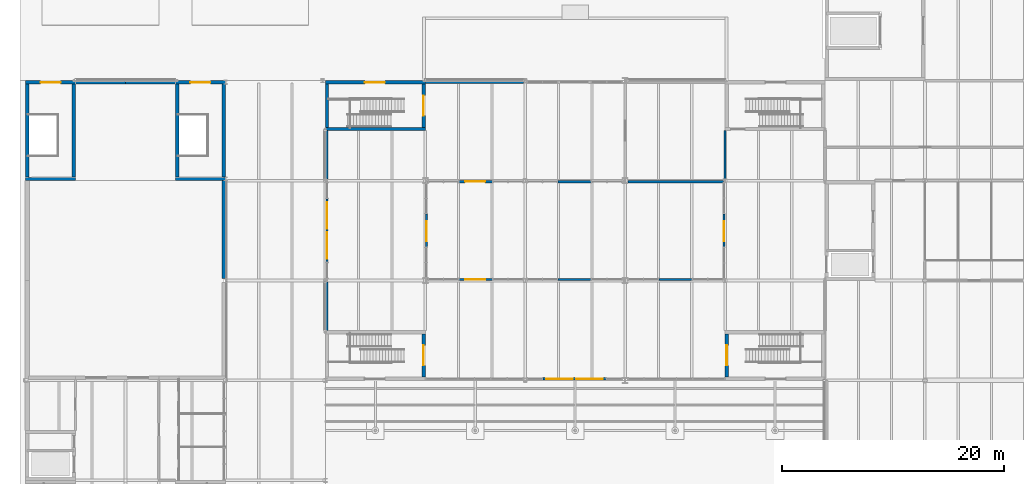
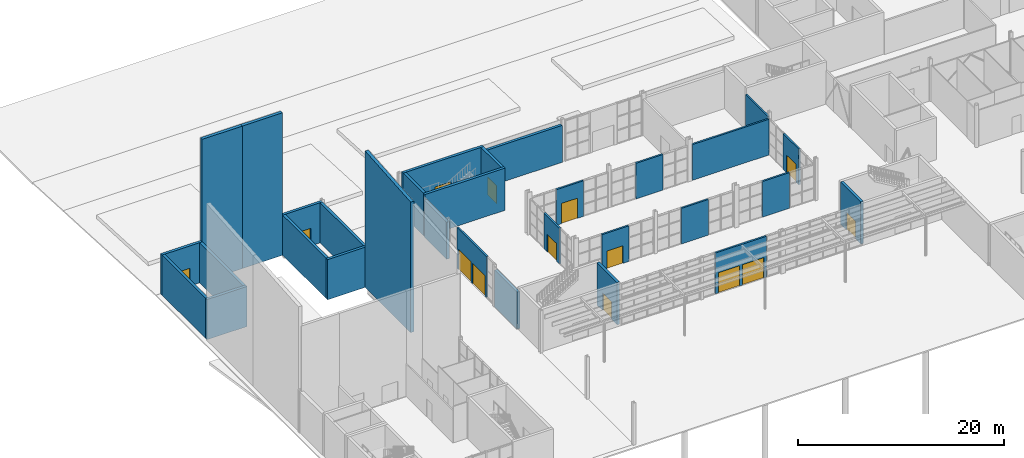
# One storey, part 37 of 63: 31 walls, 14 doors, 14 openings.
"""IFC4 building model written with IfcOpenShell, lengths in metres."""

from ifc_helpers import new_model, si_unit, direction, frame, frame_2d, origin, place, context, subcontext, project, spatial, polyline, rectangle, outline, extrude, material, layer, layer_set, type_object, element, fill, save


model = new_model("IFC4")

# Units and contexts
model_context = context("Model", 3, precision=1e-05, world=origin(), true_north=direction((0.0, 1.0)))
body_context = subcontext(model_context, "Body", "Model", "MODEL_VIEW")
ifc_project = project(units=[si_unit("LENGTHUNIT", "METRE"), si_unit("AREAUNIT", "SQUARE_METRE"), si_unit("VOLUMEUNIT", "CUBIC_METRE"), si_unit("PLANEANGLEUNIT", "RADIAN"), si_unit("MASSUNIT", "GRAM", prefix="KILO")], contexts=[model_context])

# Site, building, storey
site_placement = place(None, origin())
site = spatial("IfcSite", under=ifc_project, at=site_placement, CompositionType="ELEMENT")
building_placement = place(site_placement, origin())
building = spatial("IfcBuilding", under=site, at=building_placement, Name="Halyard Row Museum", CompositionType="ELEMENT")
storey_placement = place(building_placement, origin())
storey = spatial("IfcBuildingStorey", under=building, at=storey_placement, Name="L00", CompositionType="ELEMENT", Elevation=0.0)

# Walls
ifc_material_1 = material(Name="Dark timber battens on acoustic double stud wall", Category="wood")
ifc_layer_1 = layer(ifc_material_1, 0.35009765625)
ifc_layer_set_1 = layer_set([ifc_layer_1], Name="Dark timber battens on acoustic double stud wall")
wall_type_1 = type_object("IfcWallType", Name="Acoustic wall 350 dark timber-clad", PredefinedType="SOLIDWALL", material=ifc_layer_set_1)
wall_1_placement = place(storey_placement, frame((17.885009765625, 27.16357421875, 0.0), z_axis=(0.0, 0.0, 1.0), x_axis=(0.0, 1.0, 0.0)))
element("IfcWall", 1, at=wall_1_placement, inside=storey, type_object=wall_type_1, Name="Wall WL00-813", PredefinedType="SOLIDWALL", context=body_context, shape_type="SweptSolid", body=[
    extrude(outline(polyline([(0.0, 0.0), (8.83642578125, 0.0), (8.83642578125, 16.159912109375), (0.0, 15.453125), (0.0, 0.0)])), frame((0.0, 0.175048828125, 0.0), z_axis=(0.0, -1.0, 0.0), x_axis=(1.0, 0.0, 0.0)), (0.0, 0.0, 1.0), 0.35009765625),
])
for number, where, z_axis, x_axis, name in (
    (2, (9.0, 44.885009765625, 0.0), (0.0, 0.0, 1.0), (1.0, 0.0, 0.0), "Wall WL00-814"),
    (3, (4.5, 44.885009765625, 0.0), (0.0, 0.0, 1.0), (1.0, 0.0, 0.0), "Wall WL00-815"),
):
    element("IfcWall", number, at=place(storey_placement, frame(where, z_axis=z_axis, x_axis=x_axis)), inside=storey, type_object=wall_type_1, Name=name, PredefinedType="SOLIDWALL", context=body_context, shape_type="SweptSolid", body=[
        extrude(rectangle(XDim=4.5, YDim=0.35009765625, at=frame_2d((2.25, 0.0))), origin(), (0.0, 0.0, 1.0), 16.870849609375),
    ])
ifc_material_2 = material(Name="Concrete masonry 15 MPa", Category="masonry")
ifc_layer_2 = layer(ifc_material_2, 0.199951171875)
ifc_layer_set_2 = layer_set([ifc_layer_2], Name="Concrete masonry 15 MPa")
wall_type_2 = type_object("IfcWallType", Name="Blockwork wall 200 fire rated", PredefinedType="PARTITIONING", material=ifc_layer_set_2)
wall_2_placement = place(storey_placement, frame((63.0, 36.16357421875, 0.0), z_axis=(0.0, 0.0, 1.0), x_axis=(0.0, 1.0, 0.0)))
element("IfcWall", 4, at=wall_2_placement, inside=storey, type_object=wall_type_2, Name="Partition Lift Lobby L00 West / Catering Kitchen", PredefinedType="PARTITIONING", context=body_context, shape_type="SweptSolid", body=[
    extrude(rectangle(XDim=4.33642578125, YDim=0.199951171875, at=frame_2d((2.168212890625, 0.0))), origin(), (0.0, 0.0, 1.0), 4.302001953125),
])

# Wall, openings, doors
ifc_material_3 = material(Name="Powder-coated aluminium section", Category="aluminium")
ifc_layer_3 = layer(ifc_material_3, 0.199951171875)
ifc_layer_set_3 = layer_set([ifc_layer_3], Name="Powder-coated aluminium section")
wall_type_3 = type_object("IfcWallType", Name="Entrance screen frame 200 aluminium", PredefinedType="SOLIDWALL", material=ifc_layer_set_3)
wall_3_placement = place(storey_placement, frame((27.14990234375, 28.64990234375, 0.0), z_axis=(0.0, 0.0, 1.0), x_axis=(0.0, 1.0, 0.0)))
wall_3 = element("IfcWall", 5, at=wall_3_placement, inside=storey, type_object=wall_type_3, Name="Wall WL00-819", PredefinedType="SOLIDWALL", context=body_context, shape_type="SweptSolid", body=[
    extrude(rectangle(XDim=5.7001953125, YDim=0.199951171875, at=frame_2d((2.85009765625, 0.0))), origin(), (0.0, 0.0, 1.0), 4.8349609375),
])
opening_1_placement = place(wall_3_placement, frame((3.0, 0.0, 0.0)))
opening_1 = element("IfcOpeningElement", 6, at=opening_1_placement, cuts=wall_3, Name="Opening DL00-407", PredefinedType="OPENING", context=body_context, shape_type="SweptSolid", body=[
    extrude(rectangle(XDim=2.39990234375, YDim=2.39990234375, at=frame_2d((1.199951171875, 1.199951171875))), frame((0.0, 0.10986328125, 0.0), z_axis=(0.0, -1.0, 0.0), x_axis=(1.0, 0.0, 0.0)), (0.0, 0.0, 1.0), 0.219970703125),
])
opening_2_placement = place(wall_3_placement, frame((0.300048828125, 0.0, 0.0)))
opening_2 = element("IfcOpeningElement", 7, at=opening_2_placement, cuts=wall_3, Name="Opening DL00-408", PredefinedType="OPENING", context=body_context, shape_type="SweptSolid", body=[
    extrude(rectangle(XDim=2.39990234375, YDim=2.39990234375, at=frame_2d((1.199951171875, 1.199951171875))), frame((0.0, 0.10986328125, 0.0), z_axis=(0.0, -1.0, 0.0), x_axis=(1.0, 0.0, 0.0)), (0.0, 0.0, 1.0), 0.219970703125),
])
ifc_material_4 = material(Name="Powder-coated aluminium section", Category="aluminium")
door_type_1 = type_object("IfcDoorType", Name="Exitway door DE1 entrance double 2400 x 2400", OperationType="NOTDEFINED", PredefinedType="DOOR", material=ifc_material_4)
door_1_placement = place(opening_1_placement, origin())
door_1 = element("IfcDoor", 8, at=door_1_placement, inside=storey, type_object=door_type_1, Name="Door DL00-407", OperationType="DOUBLE_DOOR_SINGLE_SWING", OverallHeight=2.39990234375, OverallWidth=2.39990234375, PredefinedType="DOOR", context=body_context, shape_type="SweptSolid", body=[
    extrude(rectangle(XDim=2.39990234375, YDim=2.39990234375, at=frame_2d((1.199951171875, 1.199951171875))), frame((0.0, 0.02490234375, 0.0), z_axis=(0.0, -1.0, 0.0), x_axis=(1.0, 0.0, 0.0)), (0.0, 0.0, 1.0), 0.050048828125),
])
fill(opening_1, door_1)
door_2_placement = place(opening_2_placement, origin())
door_2 = element("IfcDoor", 9, at=door_2_placement, inside=storey, type_object=door_type_1, Name="Door DL00-408", OperationType="DOUBLE_DOOR_SINGLE_SWING", OverallHeight=2.39990234375, OverallWidth=2.39990234375, PredefinedType="DOOR", context=body_context, shape_type="SweptSolid", body=[
    extrude(rectangle(XDim=2.39990234375, YDim=2.39990234375, at=frame_2d((1.199951171875, 1.199951171875))), frame((0.0, 0.02490234375, 0.0), z_axis=(0.0, -1.0, 0.0), x_axis=(1.0, 0.0, 0.0)), (0.0, 0.0, 1.0), 0.050048828125),
])
fill(opening_2, door_2)

wall_4_placement = place(storey_placement, frame((46.60009765625, 18.14990234375, 0.0), z_axis=(0.0, 0.0, 1.0), x_axis=(1.0, 0.0, 0.0)))
wall_4 = element("IfcWall", 10, at=wall_4_placement, inside=storey, type_object=wall_type_3, Name="Wall WL00-820", PredefinedType="SOLIDWALL", context=body_context, shape_type="SweptSolid", body=[
    extrude(rectangle(XDim=5.699951171875, YDim=0.199951171875, at=frame_2d((2.85009765625, 0.0))), origin(), (0.0, 0.0, 1.0), 4.8349609375),
])
opening_3_placement = place(wall_4_placement, frame((0.300048828125, 0.0, 0.0)))
opening_3 = element("IfcOpeningElement", 11, at=opening_3_placement, cuts=wall_4, Name="Opening DL00-409", PredefinedType="OPENING", context=body_context, shape_type="SweptSolid", body=[
    extrude(rectangle(XDim=2.39990234375, YDim=2.39990234375, at=frame_2d((1.199951171875, 1.199951171875))), frame((0.0, 0.10986328125, 0.0), z_axis=(0.0, -1.0, 0.0), x_axis=(1.0, 0.0, 0.0)), (0.0, 0.0, 1.0), 0.219970703125),
])
opening_4_placement = place(wall_4_placement, frame((3.0, 0.0, 0.0)))
opening_4 = element("IfcOpeningElement", 12, at=opening_4_placement, cuts=wall_4, Name="Opening DL00-410", PredefinedType="OPENING", context=body_context, shape_type="SweptSolid", body=[
    extrude(rectangle(XDim=2.39990234375, YDim=2.39990234375, at=frame_2d((1.199951171875, 1.199951171875))), frame((0.0, 0.10986328125, 0.0), z_axis=(0.0, -1.0, 0.0), x_axis=(1.0, 0.0, 0.0)), (0.0, 0.0, 1.0), 0.219970703125),
])
door_3_placement = place(opening_3_placement, frame((2.39990234375, 0.0, 0.0), z_axis=(0.0, 0.0, 1.0), x_axis=(-1.0, 0.0, 0.0)))
door_3 = element("IfcDoor", 13, at=door_3_placement, inside=storey, type_object=door_type_1, Name="Door DL00-409", OperationType="DOUBLE_DOOR_SINGLE_SWING", OverallHeight=2.39990234375, OverallWidth=2.39990234375, PredefinedType="DOOR", context=body_context, shape_type="SweptSolid", body=[
    extrude(rectangle(XDim=2.39990234375, YDim=2.39990234375, at=frame_2d((1.199951171875, 1.199951171875))), frame((0.0, 0.02490234375, 0.0), z_axis=(0.0, -1.0, 0.0), x_axis=(1.0, 0.0, 0.0)), (0.0, 0.0, 1.0), 0.050048828125),
])
fill(opening_3, door_3)
door_4_placement = place(opening_4_placement, frame((2.39990234375, 0.0, 0.0), z_axis=(0.0, 0.0, 1.0), x_axis=(-1.0, 0.0, 0.0)))
door_4 = element("IfcDoor", 14, at=door_4_placement, inside=storey, type_object=door_type_1, Name="Door DL00-410", OperationType="DOUBLE_DOOR_SINGLE_SWING", OverallHeight=2.39990234375, OverallWidth=2.39990234375, PredefinedType="DOOR", context=body_context, shape_type="SweptSolid", body=[
    extrude(rectangle(XDim=2.39990234375, YDim=2.39990234375, at=frame_2d((1.199951171875, 1.199951171875))), frame((0.0, 0.02490234375, 0.0), z_axis=(0.0, -1.0, 0.0), x_axis=(1.0, 0.0, 0.0)), (0.0, 0.0, 1.0), 0.050048828125),
])
fill(opening_4, door_4)

# Wall
ifc_material_5 = material(Name="Concrete 40 MPa", Category="concrete")
ifc_layer_4 = layer(ifc_material_5, 0.300048828125)
ifc_layer_set_4 = layer_set([ifc_layer_4], Name="Concrete 40 MPa")
wall_type_4 = type_object("IfcWallType", Name="Exitway wall 300 reinforced concrete", PredefinedType="SOLIDWALL", material=ifc_layer_set_4)
wall_5_placement = place(storey_placement, frame((27.0, 40.64990234375, 0.0), z_axis=(0.0, 0.0, 1.0), x_axis=(1.0, 0.0, 0.0)))
element("IfcWall", 15, at=wall_5_placement, inside=storey, type_object=wall_type_4, Name="Core wall K1A S L00", PredefinedType="SOLIDWALL", context=body_context, shape_type="SweptSolid", body=[
    extrude(rectangle(XDim=9.0, YDim=0.300048828125, at=frame_2d((4.5, 0.0))), origin(), (0.0, 0.0, 1.0), 5.0),
])

# Wall, opening, door
wall_6_placement = place(storey_placement, frame((35.85009765625, 40.800048828125, 0.0), z_axis=(0.0, 0.0, 1.0), x_axis=(0.0, 1.0, 0.0)))
wall_6 = element("IfcWall", 16, at=wall_6_placement, inside=storey, type_object=wall_type_4, Name="Core wall K1A E L00", PredefinedType="SOLIDWALL", context=body_context, shape_type="SweptSolid", body=[
    extrude(rectangle(XDim=3.89990234375, YDim=0.300048828125, at=frame_2d((1.949951171875, 0.0))), origin(), (0.0, 0.0, 1.0), 5.0),
])
opening_5_placement = place(wall_6_placement, frame((1.050048828125, 0.0, 0.0)))
opening_5 = element("IfcOpeningElement", 17, at=opening_5_placement, cuts=wall_6, Name="Opening DL00-002", PredefinedType="OPENING", context=body_context, shape_type="SweptSolid", body=[
    extrude(rectangle(XDim=1.800048828125, YDim=2.10009765625, at=frame_2d((0.89990234375, 1.050048828125))), frame((0.0, 0.159912109375, 0.0), z_axis=(0.0, -1.0, 0.0), x_axis=(1.0, 0.0, 0.0)), (0.0, 0.0, 1.0), 0.320068359375),
])
ifc_material_6 = material(Name="Fire-resisting timber door leaf and steel frame", Category="steel")
door_type_2 = type_object("IfcDoorType", Name="Exitway door 1800 x 2100 fire rated", OperationType="NOTDEFINED", PredefinedType="DOOR", material=ifc_material_6)
door_5_placement = place(opening_5_placement, origin())
door_5 = element("IfcDoor", 18, at=door_5_placement, inside=storey, type_object=door_type_2, Name="Exitway door K1A L00", OperationType="DOUBLE_DOOR_SINGLE_SWING", OverallHeight=2.10009765625, OverallWidth=1.800048828125, PredefinedType="DOOR", context=body_context, shape_type="SweptSolid", body=[
    extrude(rectangle(XDim=1.800048828125, YDim=2.10009765625, at=frame_2d((0.89990234375, 1.050048828125))), frame((0.0, 0.02490234375, 0.0), z_axis=(0.0, -1.0, 0.0), x_axis=(1.0, 0.0, 0.0)), (0.0, 0.0, 1.0), 0.050048828125),
])
fill(opening_5, door_5)

wall_7_placement = place(storey_placement, frame((27.0, 44.85009765625, 0.0), z_axis=(0.0, 0.0, 1.0), x_axis=(1.0, 0.0, 0.0)))
wall_7 = element("IfcWall", 19, at=wall_7_placement, inside=storey, type_object=wall_type_4, Name="Core wall K1A N L00", PredefinedType="SOLIDWALL", context=body_context, shape_type="SweptSolid", body=[
    extrude(rectangle(XDim=9.0, YDim=0.300048828125, at=frame_2d((4.5, 0.0))), origin(), (0.0, 0.0, 1.0), 5.0),
])
opening_6_placement = place(wall_7_placement, frame((3.550048828125, 0.0, 0.0)))
opening_6 = element("IfcOpeningElement", 20, at=opening_6_placement, cuts=wall_7, Name="Opening DL00-001", PredefinedType="OPENING", context=body_context, shape_type="SweptSolid", body=[
    extrude(rectangle(XDim=1.800048828125, YDim=2.10009765625, at=frame_2d((0.89990234375, 1.050048828125))), frame((0.0, 0.159912109375, 0.0), z_axis=(0.0, -1.0, 0.0), x_axis=(1.0, 0.0, 0.0)), (0.0, 0.0, 1.0), 0.320068359375),
])
door_6_placement = place(opening_6_placement, origin())
door_6 = element("IfcDoor", 21, at=door_6_placement, inside=storey, type_object=door_type_2, Name="Exitway door K1A exit", OperationType="DOUBLE_DOOR_SINGLE_SWING", OverallHeight=2.10009765625, OverallWidth=1.800048828125, PredefinedType="DOOR", context=body_context, shape_type="SweptSolid", body=[
    extrude(rectangle(XDim=1.800048828125, YDim=2.10009765625, at=frame_2d((0.89990234375, 1.050048828125))), frame((0.0, 0.02490234375, 0.0), z_axis=(0.0, -1.0, 0.0), x_axis=(1.0, 0.0, 0.0)), (0.0, 0.0, 1.0), 0.050048828125),
])
fill(opening_6, door_6)

# Wall
wall_8_placement = place(storey_placement, frame((27.14990234375, 40.800048828125, 0.0), z_axis=(0.0, 0.0, 1.0), x_axis=(0.0, 1.0, 0.0)))
element("IfcWall", 22, at=wall_8_placement, inside=storey, type_object=wall_type_4, Name="Core wall K1A W L00", PredefinedType="SOLIDWALL", context=body_context, shape_type="SweptSolid", body=[
    extrude(rectangle(XDim=3.89990234375, YDim=0.300048828125, at=frame_2d((1.949951171875, 0.0))), origin(), (0.0, 0.0, 1.0), 5.0),
])

# Wall, opening, door
wall_9_placement = place(storey_placement, frame((63.14990234375, 18.300048828125, 0.0), z_axis=(0.0, 0.0, 1.0), x_axis=(0.0, 1.0, 0.0)))
wall_9 = element("IfcWall", 23, at=wall_9_placement, inside=storey, type_object=wall_type_4, Name="Core wall K1C W L00", PredefinedType="SOLIDWALL", context=body_context, shape_type="SweptSolid", body=[
    extrude(rectangle(XDim=3.89990234375, YDim=0.300048828125, at=frame_2d((1.949951171875, 0.0))), origin(), (0.0, 0.0, 1.0), 5.0),
])
opening_7_placement = place(wall_9_placement, frame((1.050048828125, 0.0, 0.0)))
opening_7 = element("IfcOpeningElement", 24, at=opening_7_placement, cuts=wall_9, Name="Opening DL00-006", PredefinedType="OPENING", context=body_context, shape_type="SweptSolid", body=[
    extrude(rectangle(XDim=1.800048828125, YDim=2.10009765625, at=frame_2d((0.89990234375, 1.050048828125))), frame((0.0, 0.159912109375, 0.0), z_axis=(0.0, -1.0, 0.0), x_axis=(1.0, 0.0, 0.0)), (0.0, 0.0, 1.0), 0.320068359375),
])
door_7_placement = place(opening_7_placement, frame((1.800048828125, 0.0, 0.0), z_axis=(0.0, 0.0, 1.0), x_axis=(-1.0, 0.0, 0.0)))
door_7 = element("IfcDoor", 25, at=door_7_placement, inside=storey, type_object=door_type_2, Name="Exitway door K1C L00", OperationType="DOUBLE_DOOR_SINGLE_SWING", OverallHeight=2.10009765625, OverallWidth=1.800048828125, PredefinedType="DOOR", context=body_context, shape_type="SweptSolid", body=[
    extrude(rectangle(XDim=1.800048828125, YDim=2.10009765625, at=frame_2d((0.89990234375, 1.050048828125))), frame((0.0, 0.02490234375, 0.0), z_axis=(0.0, -1.0, 0.0), x_axis=(1.0, 0.0, 0.0)), (0.0, 0.0, 1.0), 0.050048828125),
])
fill(opening_7, door_7)

wall_10_placement = place(storey_placement, frame((35.85009765625, 18.300048828125, 0.0), z_axis=(0.0, 0.0, 1.0), x_axis=(0.0, 1.0, 0.0)))
wall_10 = element("IfcWall", 26, at=wall_10_placement, inside=storey, type_object=wall_type_4, Name="Core wall K1D E L00", PredefinedType="SOLIDWALL", context=body_context, shape_type="SweptSolid", body=[
    extrude(rectangle(XDim=3.89990234375, YDim=0.300048828125, at=frame_2d((1.949951171875, 0.0))), origin(), (0.0, 0.0, 1.0), 5.0),
])
opening_8_placement = place(wall_10_placement, frame((1.050048828125, 0.0, 0.0)))
opening_8 = element("IfcOpeningElement", 27, at=opening_8_placement, cuts=wall_10, Name="Opening DL00-008", PredefinedType="OPENING", context=body_context, shape_type="SweptSolid", body=[
    extrude(rectangle(XDim=1.800048828125, YDim=2.10009765625, at=frame_2d((0.89990234375, 1.050048828125))), frame((0.0, 0.159912109375, 0.0), z_axis=(0.0, -1.0, 0.0), x_axis=(1.0, 0.0, 0.0)), (0.0, 0.0, 1.0), 0.320068359375),
])
door_8_placement = place(opening_8_placement, origin())
door_8 = element("IfcDoor", 28, at=door_8_placement, inside=storey, type_object=door_type_2, Name="Exitway door K1D L00", OperationType="DOUBLE_DOOR_SINGLE_SWING", OverallHeight=2.10009765625, OverallWidth=1.800048828125, PredefinedType="DOOR", context=body_context, shape_type="SweptSolid", body=[
    extrude(rectangle(XDim=1.800048828125, YDim=2.10009765625, at=frame_2d((0.89990234375, 1.050048828125))), frame((0.0, 0.02490234375, 0.0), z_axis=(0.0, -1.0, 0.0), x_axis=(1.0, 0.0, 0.0)), (0.0, 0.0, 1.0), 0.050048828125),
])
fill(opening_8, door_8)

# Walls
wall_11_placement = place(storey_placement, frame((13.5, 36.14990234375, 0.0), z_axis=(0.0, 0.0, 1.0), x_axis=(1.0, 0.0, 0.0)))
element("IfcWall", 29, at=wall_11_placement, inside=storey, type_object=wall_type_4, Name="Core wall K3N S L00", PredefinedType="SOLIDWALL", context=body_context, shape_type="SweptSolid", body=[
    extrude(rectangle(XDim=4.5, YDim=0.300048828125, at=frame_2d((2.25, 0.0))), origin(), (0.0, 0.0, 1.0), 4.75),
])
wall_12_placement = place(storey_placement, frame((17.85009765625, 36.300048828125, 0.0), z_axis=(0.0, 0.0, 1.0), x_axis=(0.0, 1.0, 0.0)))
element("IfcWall", 30, at=wall_12_placement, inside=storey, type_object=wall_type_4, Name="Core wall K3N E L00", PredefinedType="SOLIDWALL", context=body_context, shape_type="SweptSolid", body=[
    extrude(rectangle(XDim=8.39990234375, YDim=0.300048828125, at=frame_2d((4.199951171875, 0.0))), origin(), (0.0, 0.0, 1.0), 4.75),
])

# Wall, opening, door
wall_13_placement = place(storey_placement, frame((13.5, 44.85009765625, 0.0), z_axis=(0.0, 0.0, 1.0), x_axis=(1.0, 0.0, 0.0)))
wall_13 = element("IfcWall", 31, at=wall_13_placement, inside=storey, type_object=wall_type_4, Name="Core wall K3N N L00", PredefinedType="SOLIDWALL", context=body_context, shape_type="SweptSolid", body=[
    extrude(rectangle(XDim=4.5, YDim=0.300048828125, at=frame_2d((2.25, 0.0))), origin(), (0.0, 0.0, 1.0), 4.75),
])
opening_9_placement = place(wall_13_placement, frame((1.35009765625, 0.0, 0.0)))
opening_9 = element("IfcOpeningElement", 32, at=opening_9_placement, cuts=wall_13, Name="Opening DL00-017", PredefinedType="OPENING", context=body_context, shape_type="SweptSolid", body=[
    extrude(rectangle(XDim=1.800048828125, YDim=2.10009765625, at=frame_2d((0.89990234375, 1.050048828125))), frame((0.0, 0.159912109375, 0.0), z_axis=(0.0, -1.0, 0.0), x_axis=(1.0, 0.0, 0.0)), (0.0, 0.0, 1.0), 0.320068359375),
])
door_9_placement = place(opening_9_placement, origin())
door_9 = element("IfcDoor", 33, at=door_9_placement, inside=storey, type_object=door_type_2, Name="Exitway door K3N exit", OperationType="DOUBLE_DOOR_SINGLE_SWING", OverallHeight=2.10009765625, OverallWidth=1.800048828125, PredefinedType="DOOR", context=body_context, shape_type="SweptSolid", body=[
    extrude(rectangle(XDim=1.800048828125, YDim=2.10009765625, at=frame_2d((0.89990234375, 1.050048828125))), frame((0.0, 0.02490234375, 0.0), z_axis=(0.0, -1.0, 0.0), x_axis=(1.0, 0.0, 0.0)), (0.0, 0.0, 1.0), 0.050048828125),
])
fill(opening_9, door_9)

# Walls
wall_14_placement = place(storey_placement, frame((13.64990234375, 36.300048828125, 0.0), z_axis=(0.0, 0.0, 1.0), x_axis=(0.0, 1.0, 0.0)))
element("IfcWall", 34, at=wall_14_placement, inside=storey, type_object=wall_type_4, Name="Core wall K3N W L00", PredefinedType="SOLIDWALL", context=body_context, shape_type="SweptSolid", body=[
    extrude(rectangle(XDim=8.39990234375, YDim=0.300048828125, at=frame_2d((4.199951171875, 0.0))), origin(), (0.0, 0.0, 1.0), 4.75),
])
wall_15_placement = place(storey_placement, frame((0.0, 36.14990234375, 0.0), z_axis=(0.0, 0.0, 1.0), x_axis=(1.0, 0.0, 0.0)))
element("IfcWall", 35, at=wall_15_placement, inside=storey, type_object=wall_type_4, Name="Core wall K3W S L00", PredefinedType="SOLIDWALL", context=body_context, shape_type="SweptSolid", body=[
    extrude(rectangle(XDim=4.5, YDim=0.300048828125, at=frame_2d((2.25, 0.0))), origin(), (0.0, 0.0, 1.0), 4.75),
])
wall_16_placement = place(storey_placement, frame((4.35009765625, 36.300048828125, 0.0), z_axis=(0.0, 0.0, 1.0), x_axis=(0.0, 1.0, 0.0)))
element("IfcWall", 36, at=wall_16_placement, inside=storey, type_object=wall_type_4, Name="Core wall K3W E L00", PredefinedType="SOLIDWALL", context=body_context, shape_type="SweptSolid", body=[
    extrude(rectangle(XDim=8.39990234375, YDim=0.300048828125, at=frame_2d((4.199951171875, 0.0))), origin(), (0.0, 0.0, 1.0), 4.75),
])

# Wall, opening, door
wall_17_placement = place(storey_placement, frame((0.0, 44.85009765625, 0.0), z_axis=(0.0, 0.0, 1.0), x_axis=(1.0, 0.0, 0.0)))
wall_17 = element("IfcWall", 37, at=wall_17_placement, inside=storey, type_object=wall_type_4, Name="Core wall K3W N L00", PredefinedType="SOLIDWALL", context=body_context, shape_type="SweptSolid", body=[
    extrude(rectangle(XDim=4.5, YDim=0.300048828125, at=frame_2d((2.25, 0.0))), origin(), (0.0, 0.0, 1.0), 4.75),
])
opening_10_placement = place(wall_17_placement, frame((1.35009765625, 0.0, 0.0)))
opening_10 = element("IfcOpeningElement", 38, at=opening_10_placement, cuts=wall_17, Name="Opening DL00-020", PredefinedType="OPENING", context=body_context, shape_type="SweptSolid", body=[
    extrude(rectangle(XDim=1.800048828125, YDim=2.10009765625, at=frame_2d((0.89990234375, 1.050048828125))), frame((0.0, 0.159912109375, 0.0), z_axis=(0.0, -1.0, 0.0), x_axis=(1.0, 0.0, 0.0)), (0.0, 0.0, 1.0), 0.320068359375),
])
door_10_placement = place(opening_10_placement, origin())
door_10 = element("IfcDoor", 39, at=door_10_placement, inside=storey, type_object=door_type_2, Name="Exitway door K3W exit", OperationType="DOUBLE_DOOR_SINGLE_SWING", OverallHeight=2.10009765625, OverallWidth=1.800048828125, PredefinedType="DOOR", context=body_context, shape_type="SweptSolid", body=[
    extrude(rectangle(XDim=1.800048828125, YDim=2.10009765625, at=frame_2d((0.89990234375, 1.050048828125))), frame((0.0, 0.02490234375, 0.0), z_axis=(0.0, -1.0, 0.0), x_axis=(1.0, 0.0, 0.0)), (0.0, 0.0, 1.0), 0.050048828125),
])
fill(opening_10, door_10)

# Wall
wall_18_placement = place(storey_placement, frame((0.14990234375, 36.300048828125, 0.0), z_axis=(0.0, 0.0, 1.0), x_axis=(0.0, 1.0, 0.0)))
element("IfcWall", 40, at=wall_18_placement, inside=storey, type_object=wall_type_4, Name="Core wall K3W W L00", PredefinedType="SOLIDWALL", context=body_context, shape_type="SweptSolid", body=[
    extrude(rectangle(XDim=8.39990234375, YDim=0.300048828125, at=frame_2d((4.199951171875, 0.0))), origin(), (0.0, 0.0, 1.0), 4.75),
])

# Wall, opening, door
ifc_material_7 = material(Name="Plasterboard on steel studs with mineral wool", Category="steel")
ifc_layer_5 = layer(ifc_material_7, 0.199951171875)
ifc_layer_set_5 = layer_set([ifc_layer_5], Name="Plasterboard on steel studs with mineral wool")
wall_type_5 = type_object("IfcWallType", Name="Gallery wall 200 double stud", PredefinedType="PARTITIONING", material=ifc_layer_set_5)
wall_19_placement = place(storey_placement, frame((39.0478515625, 27.10009765625, 0.0), z_axis=(0.0, 0.0, 1.0), x_axis=(1.0, 0.0, 0.0)))
wall_19 = element("IfcWall", 41, at=wall_19_placement, inside=storey, type_object=wall_type_5, Name="Partition Entrance Hall / Temporary Exhibition Gallery", PredefinedType="PARTITIONING", context=body_context, shape_type="SweptSolid", body=[
    extrude(rectangle(XDim=3.0, YDim=0.199951171875, at=frame_2d((1.5, 0.0))), origin(), (0.0, 0.0, 1.0), 4.22802734375),
])
opening_11_placement = place(wall_19_placement, frame((0.550048828125, 0.0, 0.0)))
opening_11 = element("IfcOpeningElement", 42, at=opening_11_placement, cuts=wall_19, Name="Opening DL00-028", PredefinedType="OPENING", context=body_context, shape_type="SweptSolid", body=[
    extrude(rectangle(XDim=1.800048828125, YDim=2.10009765625, at=frame_2d((0.89990234375, 1.050048828125))), frame((0.0, 0.10986328125, 0.0), z_axis=(0.0, -1.0, 0.0), x_axis=(1.0, 0.0, 0.0)), (0.0, 0.0, 1.0), 0.219970703125),
])
ifc_material_8 = material(Name="Timber veneered door leaf and softwood frame", Category="wood")
door_type_3 = type_object("IfcDoorType", Name="Double door 1800 x 2100", OperationType="NOTDEFINED", PredefinedType="DOOR", material=ifc_material_8)
door_11_placement = place(opening_11_placement, frame((1.800048828125, 0.0, 0.0), z_axis=(0.0, 0.0, 1.0), x_axis=(-1.0, 0.0, 0.0)))
door_11 = element("IfcDoor", 43, at=door_11_placement, inside=storey, type_object=door_type_3, Name="Door Entrance Hall to Temporary Exhibition Gallery", OperationType="DOUBLE_DOOR_SINGLE_SWING", OverallHeight=2.10009765625, OverallWidth=1.800048828125, PredefinedType="DOOR", context=body_context, shape_type="SweptSolid", body=[
    extrude(rectangle(XDim=1.800048828125, YDim=2.10009765625, at=frame_2d((0.89990234375, 1.050048828125))), frame((0.0, 0.02490234375, 0.0), z_axis=(0.0, -1.0, 0.0), x_axis=(1.0, 0.0, 0.0)), (0.0, 0.0, 1.0), 0.050048828125),
])
fill(opening_11, door_11)

# Walls
for number, where, z_axis, x_axis, name in (
    (44, (47.9521484375, 27.10009765625, 0.0), (0.0, 0.0, 1.0), (1.0, 0.0, 0.0), "Partition Entrance Hall / Temporary Exhibition Gallery"),
    (45, (57.04736328125, 27.10009765625, 0.0), (0.0, 0.0, 1.0), (1.0, 0.0, 0.0), "Partition Entrance Hall / Temporary Exhibition Gallery"),
):
    element("IfcWall", number, at=place(storey_placement, frame(where, z_axis=z_axis, x_axis=x_axis)), inside=storey, type_object=wall_type_5, Name=name, PredefinedType="PARTITIONING", context=body_context, shape_type="SweptSolid", body=[
        extrude(rectangle(XDim=3.0, YDim=0.199951171875, at=frame_2d((1.5, 0.0))), origin(), (0.0, 0.0, 1.0), 4.22802734375),
    ])

# Wall, opening, door
wall_20_placement = place(storey_placement, frame((36.10009765625, 30.0, 0.0), z_axis=(0.0, 0.0, 1.0), x_axis=(0.0, 1.0, 0.0)))
wall_20 = element("IfcWall", 46, at=wall_20_placement, inside=storey, type_object=wall_type_5, Name="Partition West Entrance Hall / Temporary Exhibition Gallery", PredefinedType="PARTITIONING", context=body_context, shape_type="SweptSolid", body=[
    extrude(rectangle(XDim=3.0, YDim=0.199951171875, at=frame_2d((1.5, 0.0))), origin(), (0.0, 0.0, 1.0), 4.22802734375),
])
opening_12_placement = place(wall_20_placement, frame((0.550048828125, 0.0, 0.0)))
opening_12 = element("IfcOpeningElement", 47, at=opening_12_placement, cuts=wall_20, Name="Opening DL00-029", PredefinedType="OPENING", context=body_context, shape_type="SweptSolid", body=[
    extrude(rectangle(XDim=1.800048828125, YDim=2.10009765625, at=frame_2d((0.89990234375, 1.050048828125))), frame((0.0, 0.10986328125, 0.0), z_axis=(0.0, -1.0, 0.0), x_axis=(1.0, 0.0, 0.0)), (0.0, 0.0, 1.0), 0.219970703125),
])
door_12_placement = place(opening_12_placement, frame((1.800048828125, 0.0, 0.0), z_axis=(0.0, 0.0, 1.0), x_axis=(-1.0, 0.0, 0.0)))
door_12 = element("IfcDoor", 48, at=door_12_placement, inside=storey, type_object=door_type_3, Name="Door West Entrance Hall to Temporary Exhibition Gallery", OperationType="DOUBLE_DOOR_SINGLE_SWING", OverallHeight=2.10009765625, OverallWidth=1.800048828125, PredefinedType="DOOR", context=body_context, shape_type="SweptSolid", body=[
    extrude(rectangle(XDim=1.800048828125, YDim=2.10009765625, at=frame_2d((0.89990234375, 1.050048828125))), frame((0.0, 0.02490234375, 0.0), z_axis=(0.0, -1.0, 0.0), x_axis=(1.0, 0.0, 0.0)), (0.0, 0.0, 1.0), 0.050048828125),
])
fill(opening_12, door_12)

wall_21_placement = place(storey_placement, frame((39.0478515625, 35.89990234375, 0.0), z_axis=(0.0, 0.0, 1.0), x_axis=(1.0, 0.0, 0.0)))
wall_21 = element("IfcWall", 49, at=wall_21_placement, inside=storey, type_object=wall_type_5, Name="Partition Temporary Exhibition Gallery / Cafe", PredefinedType="PARTITIONING", context=body_context, shape_type="SweptSolid", body=[
    extrude(rectangle(XDim=3.0, YDim=0.199951171875, at=frame_2d((1.5, 0.0))), origin(), (0.0, 0.0, 1.0), 4.22802734375),
])
opening_13_placement = place(wall_21_placement, frame((0.550048828125, 0.0, 0.0)))
opening_13 = element("IfcOpeningElement", 50, at=opening_13_placement, cuts=wall_21, Name="Opening DL00-031", PredefinedType="OPENING", context=body_context, shape_type="SweptSolid", body=[
    extrude(rectangle(XDim=1.800048828125, YDim=2.39990234375, at=frame_2d((0.89990234375, 1.199951171875))), frame((0.0, 0.10986328125, 0.0), z_axis=(0.0, -1.0, 0.0), x_axis=(1.0, 0.0, 0.0)), (0.0, 0.0, 1.0), 0.219970703125),
])
ifc_material_9 = material(Name="Toughened glass leaves in aluminium frame", Category="aluminium")
door_type_4 = type_object("IfcDoorType", Name="Glazed double door 1800 x 2400", OperationType="NOTDEFINED", PredefinedType="DOOR", material=ifc_material_9)
door_13_placement = place(opening_13_placement, frame((1.800048828125, 0.0, 0.0), z_axis=(0.0, 0.0, 1.0), x_axis=(-1.0, 0.0, 0.0)))
door_13 = element("IfcDoor", 51, at=door_13_placement, inside=storey, type_object=door_type_4, Name="Door Temporary Exhibition Gallery to Cafe", OperationType="DOUBLE_DOOR_SINGLE_SWING", OverallHeight=2.39990234375, OverallWidth=1.800048828125, PredefinedType="DOOR", context=body_context, shape_type="SweptSolid", body=[
    extrude(rectangle(XDim=1.800048828125, YDim=2.39990234375, at=frame_2d((0.89990234375, 1.199951171875))), frame((0.0, 0.02490234375, 0.0), z_axis=(0.0, -1.0, 0.0), x_axis=(1.0, 0.0, 0.0)), (0.0, 0.0, 1.0), 0.050048828125),
])
fill(opening_13, door_13)

# Walls
wall_22_placement = place(storey_placement, frame((47.9521484375, 35.89990234375, 0.0), z_axis=(0.0, 0.0, 1.0), x_axis=(1.0, 0.0, 0.0)))
element("IfcWall", 52, at=wall_22_placement, inside=storey, type_object=wall_type_5, Name="Partition Temporary Exhibition Gallery / Cafe", PredefinedType="PARTITIONING", context=body_context, shape_type="SweptSolid", body=[
    extrude(rectangle(XDim=3.0, YDim=0.199951171875, at=frame_2d((1.5, 0.0))), origin(), (0.0, 0.0, 1.0), 4.22802734375),
])
wall_23_placement = place(storey_placement, frame((54.25, 35.89990234375, 0.0), z_axis=(0.0, 0.0, 1.0), x_axis=(1.0, 0.0, 0.0)))
element("IfcWall", 53, at=wall_23_placement, inside=storey, type_object=wall_type_5, Name="Partition Temporary Exhibition Gallery / Catering Kitchen", PredefinedType="PARTITIONING", context=body_context, shape_type="SweptSolid", body=[
    extrude(rectangle(XDim=8.594482421875, YDim=0.199951171875, at=frame_2d((4.29736328125, 0.0))), origin(), (0.0, 0.0, 1.0), 4.22802734375),
])

# Wall, opening, door
ifc_material_10 = material(Name="Plasterboard on steel studs with mineral wool", Category="steel")
ifc_layer_6 = layer(ifc_material_10, 0.199951171875)
ifc_layer_set_6 = layer_set([ifc_layer_6], Name="Plasterboard on steel studs with mineral wool")
wall_type_6 = type_object("IfcWallType", Name="Gallery wall 200 double stud fire rated", PredefinedType="PARTITIONING", material=ifc_layer_set_6)
wall_24_placement = place(storey_placement, frame((62.89990234375, 30.0, 0.0), z_axis=(0.0, 0.0, 1.0), x_axis=(0.0, 1.0, 0.0)))
wall_24 = element("IfcWall", 54, at=wall_24_placement, inside=storey, type_object=wall_type_6, Name="Partition Temporary Exhibition Gallery / Lift Lobby L00 West", PredefinedType="PARTITIONING", context=body_context, shape_type="SweptSolid", body=[
    extrude(rectangle(XDim=3.0, YDim=0.199951171875, at=frame_2d((1.5, 0.0))), origin(), (0.0, 0.0, 1.0), 4.22802734375),
])
opening_14_placement = place(wall_24_placement, frame((0.550048828125, 0.0, 0.0)))
opening_14 = element("IfcOpeningElement", 55, at=opening_14_placement, cuts=wall_24, Name="Opening DL00-030", PredefinedType="OPENING", context=body_context, shape_type="SweptSolid", body=[
    extrude(rectangle(XDim=1.800048828125, YDim=2.10009765625, at=frame_2d((0.89990234375, 1.050048828125))), frame((0.0, 0.10986328125, 0.0), z_axis=(0.0, -1.0, 0.0), x_axis=(1.0, 0.0, 0.0)), (0.0, 0.0, 1.0), 0.219970703125),
])
ifc_material_11 = material(Name="Timber veneered door leaf and softwood frame", Category="wood")
door_type_5 = type_object("IfcDoorType", Name="Double door 1800 x 2100 fire rated", OperationType="NOTDEFINED", PredefinedType="DOOR", material=ifc_material_11)
door_14_placement = place(opening_14_placement, origin())
door_14 = element("IfcDoor", 56, at=door_14_placement, inside=storey, type_object=door_type_5, Name="Door Temporary Exhibition Gallery to Lift Lobby L00 West", OperationType="DOUBLE_DOOR_SINGLE_SWING", OverallHeight=2.10009765625, OverallWidth=1.800048828125, PredefinedType="DOOR", context=body_context, shape_type="SweptSolid", body=[
    extrude(rectangle(XDim=1.800048828125, YDim=2.10009765625, at=frame_2d((0.89990234375, 1.050048828125))), frame((0.0, 0.02490234375, 0.0), z_axis=(0.0, -1.0, 0.0), x_axis=(1.0, 0.0, 0.0)), (0.0, 0.0, 1.0), 0.050048828125),
])
fill(opening_14, door_14)

# Walls
ifc_material_12 = material(Name="Fire-retardant timber rainscreen on insulated steel-stud wall", Category="steel")
ifc_layer_7 = layer(ifc_material_12, 0.300048828125)
ifc_layer_set_7 = layer_set([ifc_layer_7], Name="Fire-retardant timber rainscreen on insulated steel-stud wall")
wall_type_7 = type_object("IfcWallType", Name="Rainscreen wall 300 timber-clad", PredefinedType="SOLIDWALL", material=ifc_layer_set_7)
wall_25_placement = place(storey_placement, frame((36.0, 44.909912109375, 0.0), z_axis=(0.0, 0.0, 1.0), x_axis=(1.0, 0.0, 0.0)))
element("IfcWall", 57, at=wall_25_placement, inside=storey, type_object=wall_type_7, Name="Wall WL00-806", PredefinedType="SOLIDWALL", context=body_context, shape_type="SweptSolid", body=[
    extrude(rectangle(XDim=8.85009765625, YDim=0.300048828125, at=frame_2d((4.425048828125, 0.0))), origin(), (0.0, 0.0, 1.0), 4.377685546875),
])
for number, where, z_axis, x_axis, name in (
    (58, (27.090087890625, 36.14990234375, 0.0), (0.0, 0.0, 1.0), (0.0, 1.0, 0.0), "Wall WL00-807"),
    (59, (27.090087890625, 22.5, 0.0), (0.0, 0.0, 1.0), (0.0, 1.0, 0.0), "Wall WL00-808"),
):
    element("IfcWall", number, at=place(storey_placement, frame(where, z_axis=z_axis, x_axis=x_axis)), inside=storey, type_object=wall_type_7, Name=name, PredefinedType="SOLIDWALL", context=body_context, shape_type="SweptSolid", body=[
        extrude(rectangle(XDim=4.35009765625, YDim=0.300048828125, at=frame_2d((2.175048828125, 0.0))), origin(), (0.0, 0.0, 1.0), 4.377685546875),
    ])

save(model, "model.ifc")
